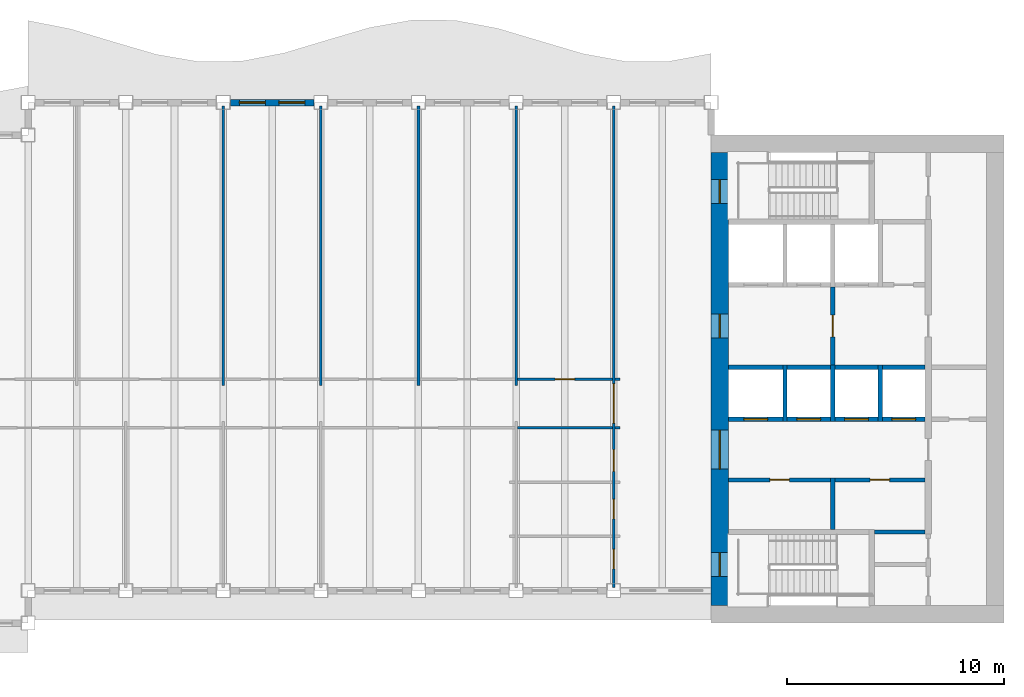
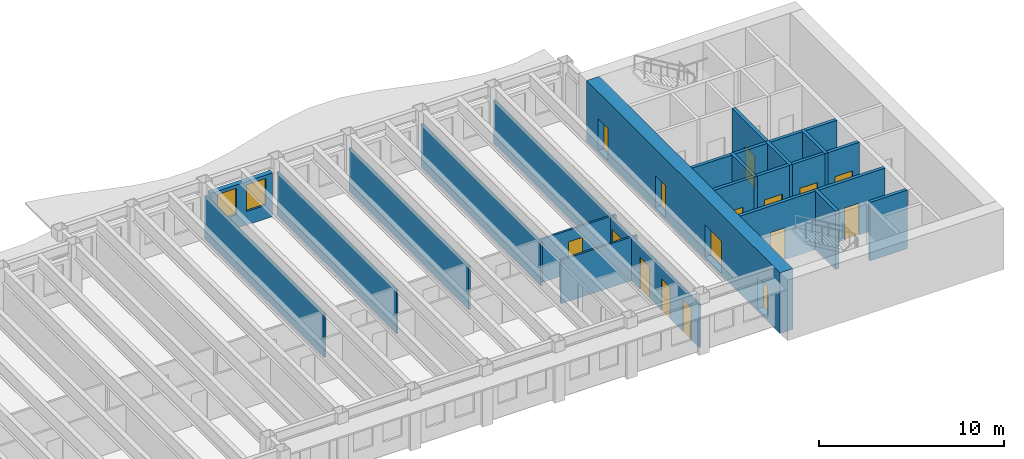
# One storey, part 5 of 12: 27 walls, 16 doors, 2 windows, 18 openings.
"""IFC4 building model written with IfcOpenShell, lengths in metres."""

from ifc_helpers import new_model, si_unit, direction, frame, frame_2d, origin, place, context, subcontext, project, spatial, rectangle, extrude, material, layer, layer_set, type_object, element, fill, save


model = new_model("IFC4")

# Units and contexts
model_context = context("Model", 3, precision=1e-05, world=origin(), true_north=direction((0.0, 1.0)))
body_context = subcontext(model_context, "Body", "Model", "MODEL_VIEW")
ifc_project = project(units=[si_unit("LENGTHUNIT", "METRE"), si_unit("AREAUNIT", "SQUARE_METRE"), si_unit("VOLUMEUNIT", "CUBIC_METRE"), si_unit("PLANEANGLEUNIT", "RADIAN"), si_unit("MASSUNIT", "GRAM", prefix="KILO")], contexts=[model_context])

# Site, building, storey
site_placement = place(None, origin())
site = spatial("IfcSite", under=ifc_project, at=site_placement, CompositionType="ELEMENT")
building_placement = place(site_placement, origin())
building = spatial("IfcBuilding", under=site, at=building_placement, Name="Sennacour Bend Tower", CompositionType="ELEMENT")
storey_placement = place(building_placement, frame((0.0, 0.0, 253.0)))
storey = spatial("IfcBuildingStorey", under=building, at=storey_placement, Name="L58", CompositionType="ELEMENT", Elevation=253.0)

# Wall, openings, doors
ifc_material_1 = material(Name="Concrete C50/60", Category="concrete")
ifc_layer_1 = layer(ifc_material_1, 0.800048828125, Name="Concrete C50/60", Category="concrete")
ifc_layer_set_1 = layer_set([ifc_layer_1], Name="Concrete C50/60")
wall_type_1 = type_object("IfcWallType", Name="Core wall 800 C50/60", PredefinedType="SHEAR", material=ifc_layer_set_1)
wall_1_placement = place(storey_placement, frame((54.39990234375, 0.800048828125, -0.14990234375), z_axis=(0.0, 0.0, 1.0), x_axis=(0.0, 1.0, 0.0)))
wall_1 = element("IfcWall", 1, at=wall_1_placement, inside=storey, type_object=wall_type_1, Name="Core A wall L58 W", PredefinedType="SHEAR", context=body_context, shape_type="SweptSolid", body=[
    extrude(rectangle(XDim=20.89990234375, YDim=0.800048828125, at=frame_2d((10.449951171875, 0.0))), origin(), (0.0, 0.0, 1.0), 4.0),
])
opening_1_placement = place(wall_1_placement, frame((6.300048828125, 0.0, 0.14990234375)))
opening_1 = element("IfcOpeningElement", 2, at=opening_1_placement, cuts=wall_1, Name="Opening CD", PredefinedType="OPENING", context=body_context, shape_type="SweptSolid", body=[
    extrude(rectangle(XDim=1.800048828125, YDim=2.10009765625, at=frame_2d((0.89990234375, 1.050048828125))), frame((0.0, 0.41015625, 0.0), z_axis=(0.0, -1.0, 0.0), x_axis=(1.0, 0.0, 0.0)), (0.0, 0.0, 1.0), 0.820068359375),
])
opening_2_placement = place(wall_1_placement, frame((12.35009765625, 0.0, 0.14990234375)))
opening_2 = element("IfcOpeningElement", 3, at=opening_2_placement, cuts=wall_1, Name="Opening FD", PredefinedType="OPENING", context=body_context, shape_type="SweptSolid", body=[
    extrude(rectangle(XDim=1.10009765625, YDim=2.10009765625, at=frame_2d((0.550048828125, 1.050048828125))), frame((0.0, 0.41015625, 0.0), z_axis=(0.0, -1.0, 0.0), x_axis=(1.0, 0.0, 0.0)), (0.0, 0.0, 1.0), 0.820068359375),
])
opening_3_placement = place(wall_1_placement, frame((1.35009765625, 0.0, 0.14990234375)))
opening_3 = element("IfcOpeningElement", 4, at=opening_3_placement, cuts=wall_1, Name="Opening SD", PredefinedType="OPENING", context=body_context, shape_type="SweptSolid", body=[
    extrude(rectangle(XDim=1.10009765625, YDim=2.10009765625, at=frame_2d((0.550048828125, 1.050048828125))), frame((0.0, 0.41015625, 0.0), z_axis=(0.0, -1.0, 0.0), x_axis=(1.0, 0.0, 0.0)), (0.0, 0.0, 1.0), 0.820068359375),
])
opening_4_placement = place(wall_1_placement, frame((18.550048828125, 0.0, 0.14990234375)))
opening_4 = element("IfcOpeningElement", 5, at=opening_4_placement, cuts=wall_1, Name="Opening SD", PredefinedType="OPENING", context=body_context, shape_type="SweptSolid", body=[
    extrude(rectangle(XDim=1.10009765625, YDim=2.10009765625, at=frame_2d((0.550048828125, 1.050048828125))), frame((0.0, 0.41015625, 0.0), z_axis=(0.0, -1.0, 0.0), x_axis=(1.0, 0.0, 0.0)), (0.0, 0.0, 1.0), 0.820068359375),
])
ifc_material_2 = material(Name="Painted steel", Category="steel")
door_type_1 = type_object("IfcDoorType", Name="DR-FFL-1100", OperationType="NOTDEFINED", PredefinedType="DOOR", material=ifc_material_2)
door_1_placement = place(opening_2_placement, origin())
door_1 = element("IfcDoor", 6, at=door_1_placement, inside=storey, type_object=door_type_1, Name="Door", OperationType="SINGLE_SWING_RIGHT", OverallHeight=2.10009765625, OverallWidth=1.10009765625, PredefinedType="DOOR", context=body_context, shape_type="SweptSolid", body=[
    extrude(rectangle(XDim=1.10009765625, YDim=2.10009765625, at=frame_2d((0.550048828125, 1.050048828125))), frame((0.0, 0.02490234375, 0.0), z_axis=(0.0, -1.0, 0.0), x_axis=(1.0, 0.0, 0.0)), (0.0, 0.0, 1.0), 0.050048828125),
])
fill(opening_2, door_1)
door_type_2 = type_object("IfcDoorType", Name="DR-LOBBY-1800", OperationType="NOTDEFINED", PredefinedType="DOOR", material=ifc_material_2)
door_2_placement = place(opening_1_placement, origin())
door_2 = element("IfcDoor", 7, at=door_2_placement, inside=storey, type_object=door_type_2, Name="Door", OperationType="DOUBLE_DOOR_SINGLE_SWING", OverallHeight=2.10009765625, OverallWidth=1.800048828125, PredefinedType="DOOR", context=body_context, shape_type="SweptSolid", body=[
    extrude(rectangle(XDim=1.800048828125, YDim=2.10009765625, at=frame_2d((0.89990234375, 1.050048828125))), frame((0.0, 0.02490234375, 0.0), z_axis=(0.0, -1.0, 0.0), x_axis=(1.0, 0.0, 0.0)), (0.0, 0.0, 1.0), 0.050048828125),
])
fill(opening_1, door_2)
door_type_3 = type_object("IfcDoorType", Name="DR-STAIR-1100", OperationType="NOTDEFINED", PredefinedType="DOOR", material=ifc_material_2)
door_3_placement = place(opening_3_placement, origin())
door_3 = element("IfcDoor", 8, at=door_3_placement, inside=storey, type_object=door_type_3, Name="Door", OperationType="SINGLE_SWING_LEFT", OverallHeight=2.10009765625, OverallWidth=1.10009765625, PredefinedType="DOOR", context=body_context, shape_type="SweptSolid", body=[
    extrude(rectangle(XDim=1.10009765625, YDim=2.10009765625, at=frame_2d((0.550048828125, 1.050048828125))), frame((0.0, 0.02490234375, 0.0), z_axis=(0.0, -1.0, 0.0), x_axis=(1.0, 0.0, 0.0)), (0.0, 0.0, 1.0), 0.050048828125),
])
fill(opening_3, door_3)
door_4_placement = place(opening_4_placement, origin())
door_4 = element("IfcDoor", 9, at=door_4_placement, inside=storey, type_object=door_type_3, Name="Door", OperationType="SINGLE_SWING_RIGHT", OverallHeight=2.10009765625, OverallWidth=1.10009765625, PredefinedType="DOOR", context=body_context, shape_type="SweptSolid", body=[
    extrude(rectangle(XDim=1.10009765625, YDim=2.10009765625, at=frame_2d((0.550048828125, 1.050048828125))), frame((0.0, 0.02490234375, 0.0), z_axis=(0.0, -1.0, 0.0), x_axis=(1.0, 0.0, 0.0)), (0.0, 0.0, 1.0), 0.050048828125),
])
fill(opening_4, door_4)

# Walls
ifc_material_3 = material(Name="Plasterboard partition on steel studs", Category="steel")
ifc_layer_2 = layer(ifc_material_3, 0.1201171875, Name="Plasterboard partition on steel studs", Category="steel")
ifc_layer_set_2 = layer_set([ifc_layer_2], Name="Plasterboard partition on steel studs")
wall_type_2 = type_object("IfcWallType", Name="Partition 120", PredefinedType="PARTITIONING", material=ifc_layer_set_2)
for number, where, z_axis, x_axis, name in (
    (10, (31.5, 10.949951171875, 0.0), (0.0, 0.0, 1.0), (0.0, 1.0, 0.0), "P-L58-W011a"),
    (11, (36.0, 10.949951171875, 0.0), (0.0, 0.0, 1.0), (0.0, 1.0, 0.0), "P-L58-W013a"),
    (12, (40.5, 10.949951171875, 0.0), (0.0, 0.0, 1.0), (0.0, 1.0, 0.0), "P-L58-W014a"),
    (13, (45.0, 10.949951171875, 0.0), (0.0, 0.0, 1.0), (0.0, 1.0, 0.0), "P-L58-W016a"),
):
    element("IfcWall", number, at=place(storey_placement, frame(where, z_axis=z_axis, x_axis=x_axis)), inside=storey, type_object=wall_type_2, Name=name, PredefinedType="PARTITIONING", context=body_context, shape_type="SweptSolid", body=[
        extrude(rectangle(XDim=12.900146484375, YDim=0.1201171875, at=frame_2d((6.4501953125, 0.0))), origin(), (0.0, 0.0, 1.0), 2.8701171875),
    ])
wall_2_placement = place(storey_placement, frame((45.06005859375, 9.0, 0.0), z_axis=(0.0, 0.0, 1.0), x_axis=(1.0, 0.0, 0.0)))
element("IfcWall", 14, at=wall_2_placement, inside=storey, type_object=wall_type_2, Name="P-L58-W043ag", PredefinedType="PARTITIONING", context=body_context, shape_type="SweptSolid", body=[
    extrude(rectangle(XDim=4.3798828125, YDim=0.1201171875, at=frame_2d((2.18994140625, 0.0))), origin(), (0.0, 0.0, 1.0), 2.8701171875),
])
for number, where, z_axis, x_axis, name in (
    (15, (49.56005859375, 9.0, 0.0), (0.0, 0.0, 1.0), (1.0, 0.0, 0.0), "P-L58-W043ah"),
    (16, (49.56005859375, 11.25, 0.0), (0.0, 0.0, 1.0), (1.0, 0.0, 0.0), "P-L58-W046ah"),
):
    element("IfcWall", number, at=place(storey_placement, frame(where, z_axis=z_axis, x_axis=x_axis)), inside=storey, type_object=wall_type_2, Name=name, PredefinedType="PARTITIONING", context=body_context, shape_type="SweptSolid", body=[
        extrude(rectangle(XDim=0.239990234375, YDim=0.1201171875, at=frame_2d((0.1201171875, 0.0))), origin(), (0.0, 0.0, 1.0), 2.8701171875),
    ])

# Wall, openings, doors
ifc_layer_3 = layer(ifc_material_3, 0.1201171875, Name="Plasterboard partition on steel studs", Category="steel")
ifc_layer_set_3 = layer_set([ifc_layer_3], Name="Plasterboard partition on steel studs")
wall_type_3 = type_object("IfcWallType", Name="Partition 120 EI 30", PredefinedType="PARTITIONING", material=ifc_layer_set_3)
wall_3_placement = place(storey_placement, frame((49.5, 1.64990234375, 0.0), z_axis=(0.0, 0.0, 1.0), x_axis=(0.0, 1.0, 0.0)))
wall_3 = element("IfcWall", 17, at=wall_3_placement, inside=storey, type_object=wall_type_3, Name="P-L58-W017a", PredefinedType="PARTITIONING", context=body_context, shape_type="SweptSolid", body=[
    extrude(rectangle(XDim=22.2001953125, YDim=0.1201171875, at=frame_2d((11.10009765625, 0.0))), origin(), (0.0, 0.0, 1.0), 2.8701171875),
])
opening_5_placement = place(wall_3_placement, frame((7.5751953125, 0.0, 0.0)))
opening_5 = element("IfcOpeningElement", 18, at=opening_5_placement, cuts=wall_3, Name="Opening KD3", PredefinedType="OPENING", context=body_context, shape_type="SweptSolid", body=[
    extrude(rectangle(XDim=1.800048828125, YDim=2.10009765625, at=frame_2d((0.89990234375, 1.050048828125))), frame((0.0, 0.070068359375, 0.0), z_axis=(0.0, -1.0, 0.0), x_axis=(1.0, 0.0, 0.0)), (0.0, 0.0, 1.0), 0.14013671875),
])
opening_6_placement = place(wall_3_placement, frame((0.85009765625, 0.0, 0.0)))
opening_6 = element("IfcOpeningElement", 19, at=opening_6_placement, cuts=wall_3, Name="Opening WD", PredefinedType="OPENING", context=body_context, shape_type="SweptSolid", body=[
    extrude(rectangle(XDim=0.89990234375, YDim=2.10009765625, at=frame_2d((0.449951171875, 1.050048828125))), frame((0.0, 0.070068359375, 0.0), z_axis=(0.0, -1.0, 0.0), x_axis=(1.0, 0.0, 0.0)), (0.0, 0.0, 1.0), 0.14013671875),
])
opening_7_placement = place(wall_3_placement, frame((3.150146484375, 0.0, 0.0)))
opening_7 = element("IfcOpeningElement", 20, at=opening_7_placement, cuts=wall_3, Name="Opening WD", PredefinedType="OPENING", context=body_context, shape_type="SweptSolid", body=[
    extrude(rectangle(XDim=0.89990234375, YDim=2.10009765625, at=frame_2d((0.449951171875, 1.050048828125))), frame((0.0, 0.070068359375, 0.0), z_axis=(0.0, -1.0, 0.0), x_axis=(1.0, 0.0, 0.0)), (0.0, 0.0, 1.0), 0.14013671875),
])
opening_8_placement = place(wall_3_placement, frame((5.35009765625, 0.0, 0.0)))
opening_8 = element("IfcOpeningElement", 21, at=opening_8_placement, cuts=wall_3, Name="Opening AD", PredefinedType="OPENING", context=body_context, shape_type="SweptSolid", body=[
    extrude(rectangle(XDim=1.0, YDim=2.10009765625, at=frame_2d((0.5, 1.050048828125))), frame((0.0, 0.070068359375, 0.0), z_axis=(0.0, -1.0, 0.0), x_axis=(1.0, 0.0, 0.0)), (0.0, 0.0, 1.0), 0.14013671875),
])
ifc_material_4 = material(Name="Timber", Category="wood")
door_type_4 = type_object("IfcDoorType", Name="DR-ACC-WC-1000", OperationType="NOTDEFINED", PredefinedType="DOOR", material=ifc_material_4)
door_5_placement = place(opening_8_placement, origin())
door_5 = element("IfcDoor", 22, at=door_5_placement, inside=storey, type_object=door_type_4, Name="Door", OperationType="SINGLE_SWING_LEFT", OverallHeight=2.10009765625, OverallWidth=1.0, PredefinedType="DOOR", context=body_context, shape_type="SweptSolid", body=[
    extrude(rectangle(XDim=1.0, YDim=2.10009765625, at=frame_2d((0.5, 1.050048828125))), frame((0.0, 0.02490234375, 0.0), z_axis=(0.0, -1.0, 0.0), x_axis=(1.0, 0.0, 0.0)), (0.0, 0.0, 1.0), 0.050048828125),
])
fill(opening_8, door_5)
door_type_5 = type_object("IfcDoorType", Name="DR-CORRIDOR-1800", OperationType="NOTDEFINED", PredefinedType="DOOR", material=ifc_material_2)
door_6_placement = place(opening_5_placement, origin())
door_6 = element("IfcDoor", 23, at=door_6_placement, inside=storey, type_object=door_type_5, Name="Door", OperationType="DOUBLE_DOOR_SINGLE_SWING", OverallHeight=2.10009765625, OverallWidth=1.800048828125, PredefinedType="DOOR", context=body_context, shape_type="SweptSolid", body=[
    extrude(rectangle(XDim=1.800048828125, YDim=2.10009765625, at=frame_2d((0.89990234375, 1.050048828125))), frame((0.0, 0.02490234375, 0.0), z_axis=(0.0, -1.0, 0.0), x_axis=(1.0, 0.0, 0.0)), (0.0, 0.0, 1.0), 0.050048828125),
])
fill(opening_5, door_6)
door_type_6 = type_object("IfcDoorType", Name="DR-WC-900", OperationType="NOTDEFINED", PredefinedType="DOOR", material=ifc_material_4)
door_7_placement = place(opening_6_placement, origin())
door_7 = element("IfcDoor", 24, at=door_7_placement, inside=storey, type_object=door_type_6, Name="Door", OperationType="SINGLE_SWING_LEFT", OverallHeight=2.10009765625, OverallWidth=0.89990234375, PredefinedType="DOOR", context=body_context, shape_type="SweptSolid", body=[
    extrude(rectangle(XDim=0.89990234375, YDim=2.10009765625, at=frame_2d((0.449951171875, 1.050048828125))), frame((0.0, 0.02490234375, 0.0), z_axis=(0.0, -1.0, 0.0), x_axis=(1.0, 0.0, 0.0)), (0.0, 0.0, 1.0), 0.050048828125),
])
fill(opening_6, door_7)
door_8_placement = place(opening_7_placement, origin())
door_8 = element("IfcDoor", 25, at=door_8_placement, inside=storey, type_object=door_type_6, Name="Door", OperationType="SINGLE_SWING_LEFT", OverallHeight=2.10009765625, OverallWidth=0.89990234375, PredefinedType="DOOR", context=body_context, shape_type="SweptSolid", body=[
    extrude(rectangle(XDim=0.89990234375, YDim=2.10009765625, at=frame_2d((0.449951171875, 1.050048828125))), frame((0.0, 0.02490234375, 0.0), z_axis=(0.0, -1.0, 0.0), x_axis=(1.0, 0.0, 0.0)), (0.0, 0.0, 1.0), 0.050048828125),
])
fill(opening_7, door_8)

# Wall, opening, door
ifc_layer_4 = layer(ifc_material_3, 0.1201171875, Name="Plasterboard partition on steel studs", Category="steel")
ifc_layer_set_4 = layer_set([ifc_layer_4], Name="Plasterboard partition on steel studs")
wall_type_4 = type_object("IfcWallType", Name="Partition 120 EI 60", PredefinedType="PARTITIONING", material=ifc_layer_set_4)
wall_4_placement = place(storey_placement, frame((45.06005859375, 11.25, 0.0), z_axis=(0.0, 0.0, 1.0), x_axis=(1.0, 0.0, 0.0)))
wall_4 = element("IfcWall", 26, at=wall_4_placement, inside=storey, type_object=wall_type_4, Name="P-L58-W046ag", PredefinedType="PARTITIONING", context=body_context, shape_type="SweptSolid", body=[
    extrude(rectangle(XDim=4.3798828125, YDim=0.1201171875, at=frame_2d((2.18994140625, 0.0))), origin(), (0.0, 0.0, 1.0), 2.8701171875),
])
opening_9_placement = place(wall_4_placement, frame((1.739990234375, 0.0, 0.0)))
opening_9 = element("IfcOpeningElement", 27, at=opening_9_placement, cuts=wall_4, Name="Opening SV", PredefinedType="OPENING", context=body_context, shape_type="SweptSolid", body=[
    extrude(rectangle(XDim=0.89990234375, YDim=2.10009765625, at=frame_2d((0.449951171875, 1.050048828125))), frame((0.0, 0.070068359375, 0.0), z_axis=(0.0, -1.0, 0.0), x_axis=(1.0, 0.0, 0.0)), (0.0, 0.0, 1.0), 0.14013671875),
])
door_type_7 = type_object("IfcDoorType", Name="DR-SERVICE-900", OperationType="NOTDEFINED", PredefinedType="DOOR", material=ifc_material_2)
door_9_placement = place(opening_9_placement, origin())
door_9 = element("IfcDoor", 28, at=door_9_placement, inside=storey, type_object=door_type_7, Name="Door", OperationType="SINGLE_SWING_LEFT", OverallHeight=2.10009765625, OverallWidth=0.89990234375, PredefinedType="DOOR", context=body_context, shape_type="SweptSolid", body=[
    extrude(rectangle(XDim=0.89990234375, YDim=2.10009765625, at=frame_2d((0.449951171875, 1.050048828125))), frame((0.0, 0.02490234375, 0.0), z_axis=(0.0, -1.0, 0.0), x_axis=(1.0, 0.0, 0.0)), (0.0, 0.0, 1.0), 0.050048828125),
])
fill(opening_9, door_9)

# Walls
ifc_material_5 = material(Name="Fire-rated plasterboard partition on steel studs", Category="steel")
ifc_layer_5 = layer(ifc_material_5, 0.199951171875, Name="Fire-rated plasterboard partition on steel studs", Category="steel")
ifc_layer_set_5 = layer_set([ifc_layer_5], Name="Fire-rated plasterboard partition on steel studs")
wall_type_5 = type_object("IfcWallType", Name="Rated partition 200", PredefinedType="PARTITIONING", material=ifc_layer_set_5)
wall_5_placement = place(storey_placement, frame((59.60009765625, 4.324951171875, 0.0), z_axis=(0.0, 0.0, 1.0), x_axis=(0.0, 1.0, 0.0)))
element("IfcWall", 29, at=wall_5_placement, inside=storey, type_object=wall_type_5, Name="P-L58-W021", PredefinedType="PARTITIONING", context=body_context, shape_type="SweptSolid", body=[
    extrude(rectangle(XDim=2.375, YDim=0.199951171875, at=frame_2d((1.1875, 0.0))), origin(), (0.0, 0.0, 1.0), 3.85009765625),
])
wall_6_placement = place(storey_placement, frame((61.52490234375, 4.199951171875, 0.0), z_axis=(0.0, 0.0, 1.0), x_axis=(1.0, 0.0, 0.0)))
element("IfcWall", 30, at=wall_6_placement, inside=storey, type_object=wall_type_5, Name="P-L58-W040", PredefinedType="PARTITIONING", context=body_context, shape_type="SweptSolid", body=[
    extrude(rectangle(XDim=2.3251953125, YDim=0.199951171875, at=frame_2d((1.16259765625, 0.0))), origin(), (0.0, 0.0, 1.0), 3.85009765625),
])

# Wall, opening, door
wall_7_placement = place(storey_placement, frame((54.800048828125, 6.60009765625, 0.0), z_axis=(0.0, 0.0, 1.0), x_axis=(1.0, 0.0, 0.0)))
wall_7 = element("IfcWall", 31, at=wall_7_placement, inside=storey, type_object=wall_type_5, Name="P-L58-W042a", PredefinedType="PARTITIONING", context=body_context, shape_type="SweptSolid", body=[
    extrude(rectangle(XDim=4.699951171875, YDim=0.199951171875, at=frame_2d((2.35009765625, 0.0))), origin(), (0.0, 0.0, 1.0), 3.85009765625),
])
opening_10_placement = place(wall_7_placement, frame((1.89990234375, 0.0, 0.0)))
opening_10 = element("IfcOpeningElement", 32, at=opening_10_placement, cuts=wall_7, Name="Opening SV", PredefinedType="OPENING", context=body_context, shape_type="SweptSolid", body=[
    extrude(rectangle(XDim=0.89990234375, YDim=2.10009765625, at=frame_2d((0.449951171875, 1.050048828125))), frame((0.0, 0.10986328125, 0.0), z_axis=(0.0, -1.0, 0.0), x_axis=(1.0, 0.0, 0.0)), (0.0, 0.0, 1.0), 0.219970703125),
])
door_10_placement = place(opening_10_placement, origin())
door_10 = element("IfcDoor", 33, at=door_10_placement, inside=storey, type_object=door_type_7, Name="Door", OperationType="SINGLE_SWING_LEFT", OverallHeight=2.10009765625, OverallWidth=0.89990234375, PredefinedType="DOOR", context=body_context, shape_type="SweptSolid", body=[
    extrude(rectangle(XDim=0.89990234375, YDim=2.10009765625, at=frame_2d((0.449951171875, 1.050048828125))), frame((0.0, 0.02490234375, 0.0), z_axis=(0.0, -1.0, 0.0), x_axis=(1.0, 0.0, 0.0)), (0.0, 0.0, 1.0), 0.050048828125),
])
fill(opening_10, door_10)

wall_8_placement = place(storey_placement, frame((59.699951171875, 6.60009765625, 0.0), z_axis=(0.0, 0.0, 1.0), x_axis=(1.0, 0.0, 0.0)))
wall_8 = element("IfcWall", 34, at=wall_8_placement, inside=storey, type_object=wall_type_5, Name="P-L58-W042b", PredefinedType="PARTITIONING", context=body_context, shape_type="SweptSolid", body=[
    extrude(rectangle(XDim=4.150146484375, YDim=0.199951171875, at=frame_2d((2.0751953125, 0.0))), origin(), (0.0, 0.0, 1.0), 3.85009765625),
])
opening_11_placement = place(wall_8_placement, frame((1.625, 0.0, 0.0)))
opening_11 = element("IfcOpeningElement", 35, at=opening_11_placement, cuts=wall_8, Name="Opening SV", PredefinedType="OPENING", context=body_context, shape_type="SweptSolid", body=[
    extrude(rectangle(XDim=0.89990234375, YDim=2.10009765625, at=frame_2d((0.449951171875, 1.050048828125))), frame((0.0, 0.10986328125, 0.0), z_axis=(0.0, -1.0, 0.0), x_axis=(1.0, 0.0, 0.0)), (0.0, 0.0, 1.0), 0.219970703125),
])
door_11_placement = place(opening_11_placement, origin())
door_11 = element("IfcDoor", 36, at=door_11_placement, inside=storey, type_object=door_type_7, Name="Door", OperationType="SINGLE_SWING_LEFT", OverallHeight=2.10009765625, OverallWidth=0.89990234375, PredefinedType="DOOR", context=body_context, shape_type="SweptSolid", body=[
    extrude(rectangle(XDim=0.89990234375, YDim=2.10009765625, at=frame_2d((0.449951171875, 1.050048828125))), frame((0.0, 0.02490234375, 0.0), z_axis=(0.0, -1.0, 0.0), x_axis=(1.0, 0.0, 0.0)), (0.0, 0.0, 1.0), 0.050048828125),
])
fill(opening_11, door_11)

ifc_layer_6 = layer(ifc_material_5, 0.199951171875, Name="Fire-rated plasterboard partition on steel studs", Category="steel")
ifc_layer_set_6 = layer_set([ifc_layer_6], Name="Fire-rated plasterboard partition on steel studs")
wall_type_6 = type_object("IfcWallType", Name="Rated partition 200 EI 90", PredefinedType="PARTITIONING", material=ifc_layer_set_6)
wall_9_placement = place(storey_placement, frame((59.60009765625, 11.89990234375, 0.0), z_axis=(0.0, 0.0, 1.0), x_axis=(0.0, 1.0, 0.0)))
wall_9 = element("IfcWall", 37, at=wall_9_placement, inside=storey, type_object=wall_type_6, Name="P-L58-W023", PredefinedType="PARTITIONING", context=body_context, shape_type="SweptSolid", body=[
    extrude(rectangle(XDim=3.60009765625, YDim=0.199951171875, at=frame_2d((1.800048828125, 0.0))), origin(), (0.0, 0.0, 1.0), 3.85009765625),
])
opening_12_placement = place(wall_9_placement, frame((1.300048828125, 0.0, 0.0)))
opening_12 = element("IfcOpeningElement", 38, at=opening_12_placement, cuts=wall_9, Name="Opening FD2", PredefinedType="OPENING", context=body_context, shape_type="SweptSolid", body=[
    extrude(rectangle(XDim=1.0, YDim=2.10009765625, at=frame_2d((0.5, 1.050048828125))), frame((0.0, 0.10986328125, 0.0), z_axis=(0.0, -1.0, 0.0), x_axis=(1.0, 0.0, 0.0)), (0.0, 0.0, 1.0), 0.219970703125),
])
door_type_8 = type_object("IfcDoorType", Name="DR-FFL-1000", OperationType="NOTDEFINED", PredefinedType="DOOR", material=ifc_material_2)
door_12_placement = place(opening_12_placement, origin())
door_12 = element("IfcDoor", 39, at=door_12_placement, inside=storey, type_object=door_type_8, Name="Door", OperationType="SINGLE_SWING_LEFT", OverallHeight=2.10009765625, OverallWidth=1.0, PredefinedType="DOOR", context=body_context, shape_type="SweptSolid", body=[
    extrude(rectangle(XDim=1.0, YDim=2.10009765625, at=frame_2d((0.5, 1.050048828125))), frame((0.0, 0.02490234375, 0.0), z_axis=(0.0, -1.0, 0.0), x_axis=(1.0, 0.0, 0.0)), (0.0, 0.0, 1.0), 0.050048828125),
])
fill(opening_12, door_12)

# Wall, openings, windows
ifc_material_6 = material(Name="Warm limestone cladding", Category="masonry")
ifc_layer_7 = layer(ifc_material_6, 0.050048828125, Name="Warm limestone cladding", Category="masonry")
ifc_material_7 = material(Name="Precast concrete C40/50", Category="concrete")
ifc_layer_8 = layer(ifc_material_7, 0.25, Name="Precast concrete C40/50", Category="concrete")
ifc_layer_set_7 = layer_set([ifc_layer_7, ifc_layer_8], Name="Precast concrete C40/50 with limestone cladding")
wall_type_7 = type_object("IfcWallType", Name="STONE-CLAD PRECAST SPANDREL 300", PredefinedType="STANDARD", material=ifc_layer_set_7)
wall_10_placement = place(storey_placement, frame((35.675048828125, 24.0, 0.0), z_axis=(0.0, 0.0, 1.0), x_axis=(-1.0, 0.0, 0.0)))
wall_10 = element("IfcWall", 40, at=wall_10_placement, inside=storey, type_object=wall_type_7, Name="Stone spandrel and pier wall L58 07.04", PredefinedType="STANDARD", context=body_context, shape_type="SweptSolid", body=[
    extrude(rectangle(XDim=3.85009765625, YDim=0.300048828125, at=frame_2d((1.925048828125, 0.0))), origin(), (0.0, 0.0, 1.0), 2.8701171875),
])
opening_13_placement = place(wall_10_placement, frame((0.41259765625, 0.0, 0.89990234375)))
opening_13 = element("IfcOpeningElement", 41, at=opening_13_placement, cuts=wall_10, Name="Opening W16", PredefinedType="OPENING", context=body_context, shape_type="SweptSolid", body=[
    extrude(rectangle(XDim=1.199951171875, YDim=1.75, at=frame_2d((0.60009765625, 0.875))), frame((0.0, 0.16015625, 0.0), z_axis=(0.0, -1.0, 0.0), x_axis=(1.0, 0.0, 0.0)), (0.0, 0.0, 1.0), 0.320068359375),
])
opening_14_placement = place(wall_10_placement, frame((2.237548828125, 0.0, 0.89990234375)))
opening_14 = element("IfcOpeningElement", 42, at=opening_14_placement, cuts=wall_10, Name="Opening W16", PredefinedType="OPENING", context=body_context, shape_type="SweptSolid", body=[
    extrude(rectangle(XDim=1.199951171875, YDim=1.75, at=frame_2d((0.60009765625, 0.875))), frame((0.0, 0.16015625, 0.0), z_axis=(0.0, -1.0, 0.0), x_axis=(1.0, 0.0, 0.0)), (0.0, 0.0, 1.0), 0.320068359375),
])
ifc_material_8 = material(Name="Clear low-emissivity glass", Category="glass")
window_type = type_object("IfcWindowType", Name="WIN-RIBBON-1200x1750", PartitioningType="SINGLE_PANEL", PredefinedType="WINDOW", material=ifc_material_8)
window_1_placement = place(opening_13_placement, origin())
window_1 = element("IfcWindow", 43, at=window_1_placement, inside=storey, type_object=window_type, Name="Ribbon window L58 07.04.0", OverallHeight=1.75, OverallWidth=1.199951171875, PartitioningType="SINGLE_PANEL", PredefinedType="WINDOW", context=body_context, shape_type="SweptSolid", body=[
    extrude(rectangle(XDim=1.199951171875, YDim=1.75, at=frame_2d((0.60009765625, 0.875))), frame((0.0, 0.030029296875, 0.0), z_axis=(0.0, -1.0, 0.0), x_axis=(1.0, 0.0, 0.0)), (0.0, 0.0, 1.0), 0.06005859375),
])
fill(opening_13, window_1)
window_2_placement = place(opening_14_placement, origin())
window_2 = element("IfcWindow", 44, at=window_2_placement, inside=storey, type_object=window_type, Name="Ribbon window L58 07.04.1", OverallHeight=1.75, OverallWidth=1.199951171875, PartitioningType="SINGLE_PANEL", PredefinedType="WINDOW", context=body_context, shape_type="SweptSolid", body=[
    extrude(rectangle(XDim=1.199951171875, YDim=1.75, at=frame_2d((0.60009765625, 0.875))), frame((0.0, 0.030029296875, 0.0), z_axis=(0.0, -1.0, 0.0), x_axis=(1.0, 0.0, 0.0)), (0.0, 0.0, 1.0), 0.06005859375),
])
fill(opening_14, window_2)

# Walls
ifc_layer_9 = layer(ifc_material_1, 0.199951171875, Name="Concrete C50/60", Category="concrete")
ifc_layer_set_8 = layer_set([ifc_layer_9], Name="Concrete C50/60")
wall_type_8 = type_object("IfcWallType", Name="Shaft wall 200", PredefinedType="SOLIDWALL", material=ifc_layer_set_8)
for number, where, z_axis, x_axis, name in (
    (45, (57.39990234375, 9.300048828125, 0.0), (0.0, 0.0, 1.0), (0.0, 1.0, 0.0), "P-L58-W019"),
    (46, (59.60009765625, 9.300048828125, 0.0), (0.0, 0.0, 1.0), (0.0, 1.0, 0.0), "P-L58-W022"),
    (47, (61.800048828125, 9.300048828125, 0.0), (0.0, 0.0, 1.0), (0.0, 1.0, 0.0), "P-L58-W027"),
):
    element("IfcWall", number, at=place(storey_placement, frame(where, z_axis=z_axis, x_axis=x_axis)), inside=storey, type_object=wall_type_8, Name=name, PredefinedType="SOLIDWALL", context=body_context, shape_type="SweptSolid", body=[
        extrude(rectangle(XDim=2.599853515625, YDim=0.199951171875, at=frame_2d((1.2998046875, 0.0))), origin(), (0.0, 0.0, 1.0), 3.85009765625),
    ])

# Wall, opening, door
wall_11_placement = place(storey_placement, frame((54.800048828125, 9.39990234375, 0.0), z_axis=(0.0, 0.0, 1.0), x_axis=(1.0, 0.0, 0.0)))
wall_11 = element("IfcWall", 48, at=wall_11_placement, inside=storey, type_object=wall_type_8, Name="P-L58-W044a", PredefinedType="SOLIDWALL", context=body_context, shape_type="SweptSolid", body=[
    extrude(rectangle(XDim=2.5, YDim=0.199951171875, at=frame_2d((1.25, 0.0))), origin(), (0.0, 0.0, 1.0), 3.85009765625),
])
opening_15_placement = place(wall_11_placement, frame((0.699951171875, 0.0, 0.011962890625)))
opening_15 = element("IfcOpeningElement", 49, at=opening_15_placement, cuts=wall_11, Name="Opening LD", PredefinedType="OPENING", context=body_context, shape_type="SweptSolid", body=[
    extrude(rectangle(XDim=1.10009765625, YDim=2.10009765625, at=frame_2d((0.550048828125, 1.050048828125))), frame((0.0, 0.10986328125, 0.0), z_axis=(0.0, -1.0, 0.0), x_axis=(1.0, 0.0, 0.0)), (0.0, 0.0, 1.0), 0.219970703125),
])
ifc_material_9 = material(Name="Stainless steel", Category="steel")
door_type_9 = type_object("IfcDoorType", Name="DR-LANDING-1100", OperationType="NOTDEFINED", PredefinedType="DOOR", material=ifc_material_9)
door_13_placement = place(opening_15_placement, origin())
door_13 = element("IfcDoor", 50, at=door_13_placement, inside=storey, type_object=door_type_9, Name="Lift landing door HA1", OperationType="SLIDING_TO_LEFT", OverallHeight=2.10009765625, OverallWidth=1.10009765625, PredefinedType="DOOR", context=body_context, shape_type="SweptSolid", body=[
    extrude(rectangle(XDim=1.10009765625, YDim=2.10009765625, at=frame_2d((0.550048828125, 1.050048828125))), frame((0.0, 0.02490234375, 0.0), z_axis=(0.0, -1.0, 0.0), x_axis=(1.0, 0.0, 0.0)), (0.0, 0.0, 1.0), 0.050048828125),
])
fill(opening_15, door_13)

wall_12_placement = place(storey_placement, frame((57.5, 9.39990234375, 0.0), z_axis=(0.0, 0.0, 1.0), x_axis=(1.0, 0.0, 0.0)))
wall_12 = element("IfcWall", 51, at=wall_12_placement, inside=storey, type_object=wall_type_8, Name="P-L58-W044b", PredefinedType="SOLIDWALL", context=body_context, shape_type="SweptSolid", body=[
    extrude(rectangle(XDim=2.0, YDim=0.199951171875, at=frame_2d((1.0, 0.0))), origin(), (0.0, 0.0, 1.0), 3.85009765625),
])
opening_16_placement = place(wall_12_placement, frame((0.449951171875, 0.0, 0.011962890625)))
opening_16 = element("IfcOpeningElement", 52, at=opening_16_placement, cuts=wall_12, Name="Opening LD", PredefinedType="OPENING", context=body_context, shape_type="SweptSolid", body=[
    extrude(rectangle(XDim=1.10009765625, YDim=2.10009765625, at=frame_2d((0.550048828125, 1.050048828125))), frame((0.0, 0.10986328125, 0.0), z_axis=(0.0, -1.0, 0.0), x_axis=(1.0, 0.0, 0.0)), (0.0, 0.0, 1.0), 0.219970703125),
])
door_14_placement = place(opening_16_placement, origin())
door_14 = element("IfcDoor", 53, at=door_14_placement, inside=storey, type_object=door_type_9, Name="Lift landing door HA2", OperationType="SLIDING_TO_RIGHT", OverallHeight=2.10009765625, OverallWidth=1.10009765625, PredefinedType="DOOR", context=body_context, shape_type="SweptSolid", body=[
    extrude(rectangle(XDim=1.10009765625, YDim=2.10009765625, at=frame_2d((0.550048828125, 1.050048828125))), frame((0.0, 0.02490234375, 0.0), z_axis=(0.0, -1.0, 0.0), x_axis=(1.0, 0.0, 0.0)), (0.0, 0.0, 1.0), 0.050048828125),
])
fill(opening_16, door_14)

wall_13_placement = place(storey_placement, frame((59.699951171875, 9.39990234375, 0.0), z_axis=(0.0, 0.0, 1.0), x_axis=(1.0, 0.0, 0.0)))
wall_13 = element("IfcWall", 54, at=wall_13_placement, inside=storey, type_object=wall_type_8, Name="P-L58-W044c", PredefinedType="SOLIDWALL", context=body_context, shape_type="SweptSolid", body=[
    extrude(rectangle(XDim=2.0, YDim=0.199951171875, at=frame_2d((1.0, 0.0))), origin(), (0.0, 0.0, 1.0), 3.85009765625),
])
opening_17_placement = place(wall_13_placement, frame((0.449951171875, 0.0, 0.011962890625)))
opening_17 = element("IfcOpeningElement", 55, at=opening_17_placement, cuts=wall_13, Name="Opening LD", PredefinedType="OPENING", context=body_context, shape_type="SweptSolid", body=[
    extrude(rectangle(XDim=1.10009765625, YDim=2.10009765625, at=frame_2d((0.550048828125, 1.050048828125))), frame((0.0, 0.10986328125, 0.0), z_axis=(0.0, -1.0, 0.0), x_axis=(1.0, 0.0, 0.0)), (0.0, 0.0, 1.0), 0.219970703125),
])
door_15_placement = place(opening_17_placement, origin())
door_15 = element("IfcDoor", 56, at=door_15_placement, inside=storey, type_object=door_type_9, Name="Lift landing door HA3", OperationType="SLIDING_TO_LEFT", OverallHeight=2.10009765625, OverallWidth=1.10009765625, PredefinedType="DOOR", context=body_context, shape_type="SweptSolid", body=[
    extrude(rectangle(XDim=1.10009765625, YDim=2.10009765625, at=frame_2d((0.550048828125, 1.050048828125))), frame((0.0, 0.02490234375, 0.0), z_axis=(0.0, -1.0, 0.0), x_axis=(1.0, 0.0, 0.0)), (0.0, 0.0, 1.0), 0.050048828125),
])
fill(opening_17, door_15)

wall_14_placement = place(storey_placement, frame((61.89990234375, 9.39990234375, 0.0), z_axis=(0.0, 0.0, 1.0), x_axis=(1.0, 0.0, 0.0)))
wall_14 = element("IfcWall", 57, at=wall_14_placement, inside=storey, type_object=wall_type_8, Name="P-L58-W044d", PredefinedType="SOLIDWALL", context=body_context, shape_type="SweptSolid", body=[
    extrude(rectangle(XDim=1.9501953125, YDim=0.199951171875, at=frame_2d((0.97509765625, 0.0))), origin(), (0.0, 0.0, 1.0), 3.85009765625),
])
opening_18_placement = place(wall_14_placement, frame((0.425048828125, 0.0, 0.011962890625)))
opening_18 = element("IfcOpeningElement", 58, at=opening_18_placement, cuts=wall_14, Name="Opening LD", PredefinedType="OPENING", context=body_context, shape_type="SweptSolid", body=[
    extrude(rectangle(XDim=1.10009765625, YDim=2.10009765625, at=frame_2d((0.550048828125, 1.050048828125))), frame((0.0, 0.10986328125, 0.0), z_axis=(0.0, -1.0, 0.0), x_axis=(1.0, 0.0, 0.0)), (0.0, 0.0, 1.0), 0.219970703125),
])
door_16_placement = place(opening_18_placement, origin())
door_16 = element("IfcDoor", 59, at=door_16_placement, inside=storey, type_object=door_type_9, Name="Lift landing door HA4", OperationType="SLIDING_TO_RIGHT", OverallHeight=2.10009765625, OverallWidth=1.10009765625, PredefinedType="DOOR", context=body_context, shape_type="SweptSolid", body=[
    extrude(rectangle(XDim=1.10009765625, YDim=2.10009765625, at=frame_2d((0.550048828125, 1.050048828125))), frame((0.0, 0.02490234375, 0.0), z_axis=(0.0, -1.0, 0.0), x_axis=(1.0, 0.0, 0.0)), (0.0, 0.0, 1.0), 0.050048828125),
])
fill(opening_18, door_16)

# Walls
wall_15_placement = place(storey_placement, frame((54.800048828125, 11.800048828125, 0.0), z_axis=(0.0, 0.0, 1.0), x_axis=(1.0, 0.0, 0.0)))
element("IfcWall", 60, at=wall_15_placement, inside=storey, type_object=wall_type_8, Name="P-L58-W047a", PredefinedType="SOLIDWALL", context=body_context, shape_type="SweptSolid", body=[
    extrude(rectangle(XDim=2.5, YDim=0.199951171875, at=frame_2d((1.25, 0.0))), origin(), (0.0, 0.0, 1.0), 3.85009765625),
])
for number, where, z_axis, x_axis, name in (
    (61, (57.5, 11.800048828125, 0.0), (0.0, 0.0, 1.0), (1.0, 0.0, 0.0), "P-L58-W047b"),
    (62, (59.699951171875, 11.800048828125, 0.0), (0.0, 0.0, 1.0), (1.0, 0.0, 0.0), "P-L58-W047c"),
):
    element("IfcWall", number, at=place(storey_placement, frame(where, z_axis=z_axis, x_axis=x_axis)), inside=storey, type_object=wall_type_8, Name=name, PredefinedType="SOLIDWALL", context=body_context, shape_type="SweptSolid", body=[
        extrude(rectangle(XDim=2.0, YDim=0.199951171875, at=frame_2d((1.0, 0.0))), origin(), (0.0, 0.0, 1.0), 3.85009765625),
    ])
wall_16_placement = place(storey_placement, frame((61.89990234375, 11.800048828125, 0.0), z_axis=(0.0, 0.0, 1.0), x_axis=(1.0, 0.0, 0.0)))
element("IfcWall", 63, at=wall_16_placement, inside=storey, type_object=wall_type_8, Name="P-L58-W047d", PredefinedType="SOLIDWALL", context=body_context, shape_type="SweptSolid", body=[
    extrude(rectangle(XDim=1.9501953125, YDim=0.199951171875, at=frame_2d((0.97509765625, 0.0))), origin(), (0.0, 0.0, 1.0), 3.85009765625),
])

save(model, "model.ifc")
